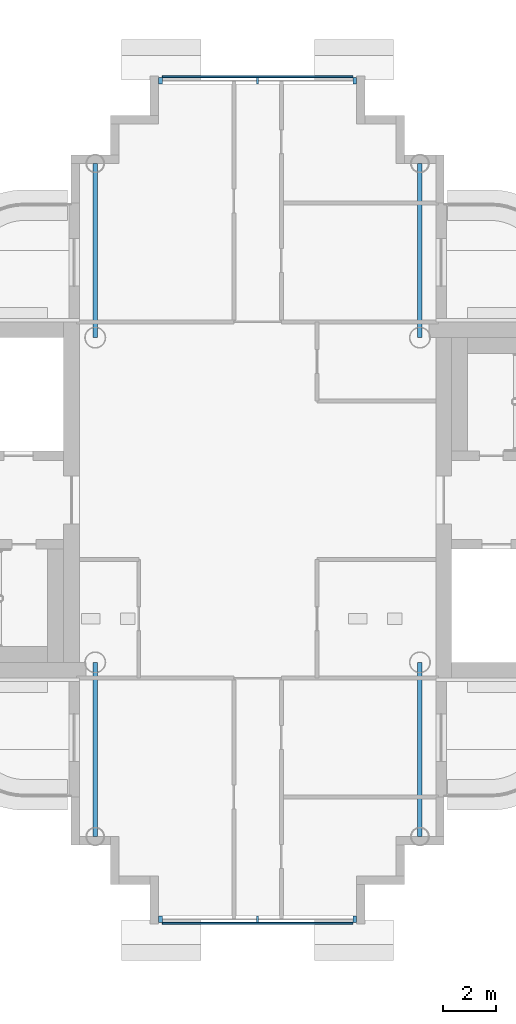
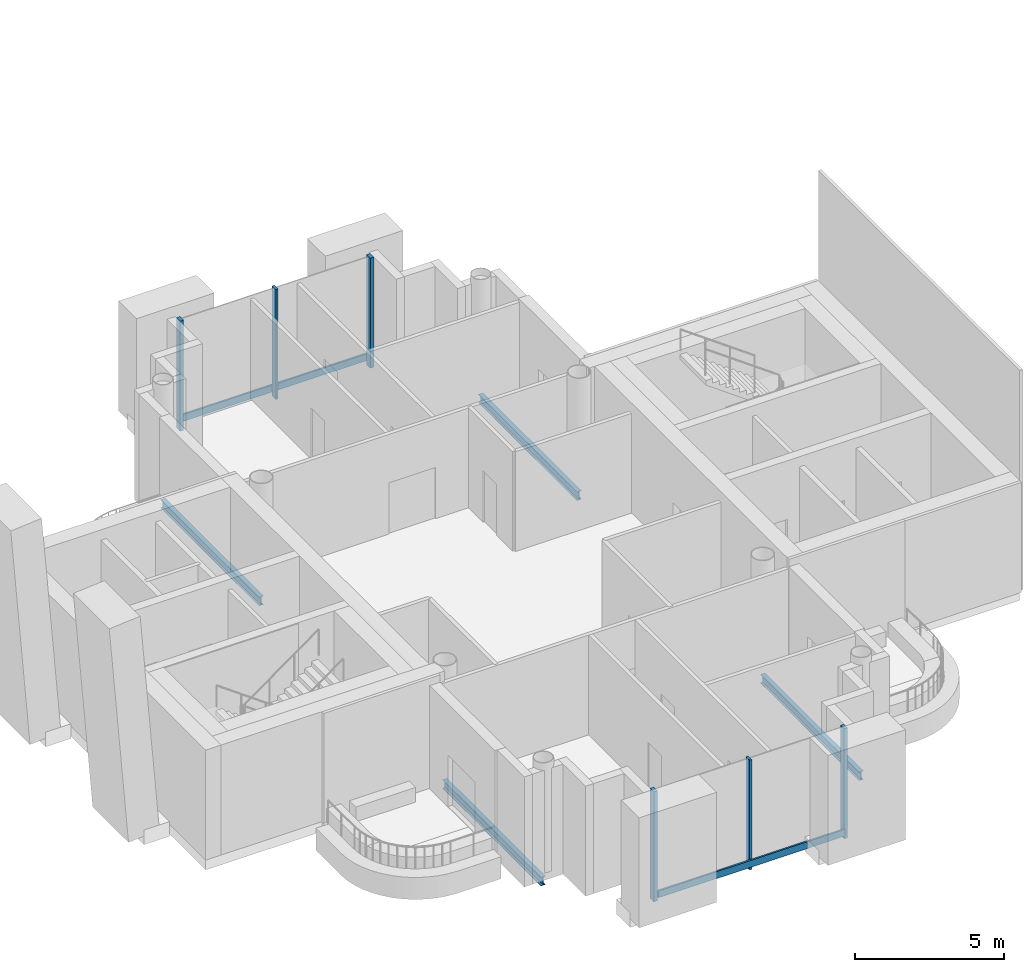
# One storey, part 3 of 20: 8 members, 4 beams, 2 elements without a shape of their own.
"""IFC4 building model written with IfcOpenShell, lengths in metres."""

from ifc_helpers import new_model, si_unit, direction, frame, origin, origin_2d, place, context, subcontext, project, spatial, rectangle, i_section, extrude, material, layer, layer_set, material_profile, profile_set, type_object, element, aggregate, save


model = new_model("IFC4")

# Units and contexts
model_context = context("Model", 3, precision=1e-05, world=origin(), true_north=direction((0.0, 1.0)))
body_context = subcontext(model_context, "Body", "Model", "MODEL_VIEW")
ifc_project = project(units=[si_unit("LENGTHUNIT", "METRE"), si_unit("AREAUNIT", "SQUARE_METRE"), si_unit("VOLUMEUNIT", "CUBIC_METRE"), si_unit("PLANEANGLEUNIT", "RADIAN"), si_unit("MASSUNIT", "GRAM", prefix="KILO")], contexts=[model_context])

# Site, building, storey
site_placement = place(None, origin())
site = spatial("IfcSite", under=ifc_project, at=site_placement, CompositionType="ELEMENT")
building_placement = place(site_placement, origin())
building = spatial("IfcBuilding", under=site, at=building_placement, Name="Ipe Terrace Towers", CompositionType="ELEMENT")
storey_placement = place(building_placement, frame((0.0, 0.0, 242.39990234375)))
storey = spatial("IfcBuildingStorey", under=building, at=storey_placement, Name="L67", CompositionType="ELEMENT", Elevation=242.39990234375)

# Beams
ifc_material_1 = material(Name="Steel S355", Category="steel")
ifc_material_profile_1 = material_profile(ifc_material_1, i_section(OverallWidth=0.175048828125, OverallDepth=0.35009765625, WebThickness=0.007080078125, FlangeThickness=0.010986328125, at=origin_2d()), Name="H-350x175x7x11")
ifc_profile_set_1 = profile_set([ifc_material_profile_1], Name="Steel S355")
beam_type = type_object("IfcBeamType", Name="H04 EDGE BEAM H-350x175x7x11", PredefinedType="BEAM", material=ifc_profile_set_1)
for number, where, z_axis, x_axis, name in (
    (1, (-29.85009765625, 12.75, -0.574951171875), (0.0, -1.0, 0.0), (1.0, 0.0, 0.0), "Edge beam T1-EB-B01-E03"),
    (2, (-42.14990234375, 12.75, -0.574951171875), (0.0, -1.0, 0.0), (1.0, 0.0, 0.0), "Edge beam T1-EB-B02-E04"),
    (3, (-42.14990234375, -12.75, -0.574951171875), (0.0, 1.0, 0.0), (-1.0, 0.0, 0.0), "Edge beam T1-EB-D01-E01"),
    (4, (-29.85009765625, -12.75, -0.574951171875), (0.0, 1.0, 0.0), (-1.0, 0.0, 0.0), "Edge beam T1-EB-D02-E02"),
):
    element("IfcBeam", number, at=place(storey_placement, frame(where, z_axis=z_axis, x_axis=x_axis)), inside=storey, type_object=beam_type, Name=name, PredefinedType="BEAM", context=body_context, shape_type="SweptSolid", body=[
        extrude(i_section(OverallWidth=0.175048828125, OverallDepth=0.35009765625, WebThickness=0.007080078125, FlangeThickness=0.010986328125, at=origin_2d()), origin(), (0.0, 0.0, 1.0), 6.60009765625),
    ])

# Curtain wall, members
ifc_material_2 = material(Name="Aluminium alloy 6063-T6", Category="aluminium")
ifc_layer = layer(ifc_material_2, 0.320068359375)
ifc_layer_set = layer_set([ifc_layer], Name="LANTERN CURTAIN WALL")
curtain_wall_type = type_object("IfcCurtainWallType", Name="LANTERN CURTAIN WALL", PredefinedType="NOTDEFINED", material=ifc_layer_set)
curtain_wall_1_placement = place(storey_placement, origin())
curtain_wall_1 = element("IfcCurtainWall", 5, at=curtain_wall_1_placement, inside=storey, type_object=curtain_wall_type, Name="T1-CW-L67-08a curtain wall", PredefinedType="NOTDEFINED")
ifc_material_3 = material(Name="Aluminium alloy 6063-T6", Category="aluminium")
ifc_material_profile_2 = material_profile(ifc_material_3, rectangle(XDim=0.25, YDim=0.139892578125, at=origin_2d()), Name="LANTERN CORNER MULLION 250 x 140")
ifc_profile_set_2 = profile_set([ifc_material_profile_2], Name="Aluminium alloy 6063-T6")
member_type_1 = type_object("IfcMemberType", Name="LANTERN CORNER MULLION 250 x 140", PredefinedType="MULLION", material=ifc_profile_set_2)
member_1_placement = place(storey_placement, frame((-39.679931640625, -15.875, -0.2998046875), z_axis=(0.0, 0.0, 1.0), x_axis=(0.0, -1.0, 0.0)))
member_1 = element("IfcMember", 6, at=member_1_placement, type_object=member_type_1, Name="T1-CW-L67-08a mullion 1", PredefinedType="MULLION", context=body_context, shape_type="SweptSolid", body=[
    extrude(rectangle(XDim=0.25, YDim=0.139892578125, at=origin_2d()), origin(), (0.0, 0.0, 1.0), 4.5),
])
member_2_placement = place(storey_placement, frame((-32.320068359375, -15.875, -0.2998046875), z_axis=(0.0, 0.0, 1.0), x_axis=(0.0, -1.0, 0.0)))
member_2 = element("IfcMember", 7, at=member_2_placement, type_object=member_type_1, Name="T1-CW-L67-08a mullion 3", PredefinedType="MULLION", context=body_context, shape_type="SweptSolid", body=[
    extrude(rectangle(XDim=0.25, YDim=0.139892578125, at=origin_2d()), origin(), (0.0, 0.0, 1.0), 4.5),
])

curtain_wall_2_placement = place(storey_placement, origin())
curtain_wall_2 = element("IfcCurtainWall", 8, at=curtain_wall_2_placement, inside=storey, type_object=curtain_wall_type, Name="T1-CW-L67-26a curtain wall", PredefinedType="NOTDEFINED")
member_3_placement = place(storey_placement, frame((-32.320068359375, 15.875, -0.2998046875), z_axis=(0.0, 0.0, 1.0), x_axis=(0.0, 1.0, 0.0)))
member_3 = element("IfcMember", 9, at=member_3_placement, type_object=member_type_1, Name="T1-CW-L67-26a mullion 1", PredefinedType="MULLION", context=body_context, shape_type="SweptSolid", body=[
    extrude(rectangle(XDim=0.25, YDim=0.139892578125, at=origin_2d()), origin(), (0.0, 0.0, 1.0), 4.5),
])
member_4_placement = place(storey_placement, frame((-39.679931640625, 15.875, -0.2998046875), z_axis=(0.0, 0.0, 1.0), x_axis=(0.0, 1.0, 0.0)))
member_4 = element("IfcMember", 10, at=member_4_placement, type_object=member_type_1, Name="T1-CW-L67-26a mullion 3", PredefinedType="MULLION", context=body_context, shape_type="SweptSolid", body=[
    extrude(rectangle(XDim=0.25, YDim=0.139892578125, at=origin_2d()), origin(), (0.0, 0.0, 1.0), 4.5),
])

# Member
ifc_material_4 = material(Name="Aluminium alloy 6063-T6", Category="aluminium")
ifc_material_profile_3 = material_profile(ifc_material_4, rectangle(XDim=0.25, YDim=0.080078125, at=origin_2d()), Name="LANTERN MULLION 250 x 80")
ifc_profile_set_3 = profile_set([ifc_material_profile_3], Name="Aluminium alloy 6063-T6")
member_type_2 = type_object("IfcMemberType", Name="LANTERN MULLION 250 x 80", PredefinedType="MULLION", material=ifc_profile_set_3)
member_5_placement = place(storey_placement, frame((-36.0, -15.875, -0.2998046875), z_axis=(0.0, 0.0, 1.0), x_axis=(0.0, -1.0, 0.0)))
member_5 = element("IfcMember", 11, at=member_5_placement, type_object=member_type_2, Name="T1-CW-L67-08a mullion 2", PredefinedType="MULLION", context=body_context, shape_type="SweptSolid", body=[
    extrude(rectangle(XDim=0.25, YDim=0.080078125, at=origin_2d()), origin(), (0.0, 0.0, 1.0), 4.5),
])

member_6_placement = place(storey_placement, frame((-36.0, 15.875, -0.2998046875), z_axis=(0.0, 0.0, 1.0), x_axis=(0.0, 1.0, 0.0)))
member_6 = element("IfcMember", 12, at=member_6_placement, type_object=member_type_2, Name="T1-CW-L67-26a mullion 2", PredefinedType="MULLION", context=body_context, shape_type="SweptSolid", body=[
    extrude(rectangle(XDim=0.25, YDim=0.080078125, at=origin_2d()), origin(), (0.0, 0.0, 1.0), 4.5),
])

ifc_material_5 = material(Name="Aluminium alloy 6063-T6", Category="aluminium")
ifc_material_profile_4 = material_profile(ifc_material_5, rectangle(XDim=0.070068359375, YDim=0.280029296875, at=origin_2d()), Name="LANTERN TRANSOM 70 x 280")
ifc_profile_set_4 = profile_set([ifc_material_profile_4], Name="Aluminium alloy 6063-T6")
member_type_3 = type_object("IfcMemberType", Name="LANTERN TRANSOM 70 x 280", PredefinedType="USERDEFINED", material=ifc_profile_set_4)
member_7_placement = place(storey_placement, frame((-39.610107421875, -16.034912109375, 0.0), z_axis=(1.0, 0.0, 0.0), x_axis=(0.0, -1.0, 0.0)))
member_7 = element("IfcMember", 13, at=member_7_placement, type_object=member_type_3, Name="T1-CW-L67-08a transom", ObjectType="TRANSOM", PredefinedType="USERDEFINED", context=body_context, shape_type="SweptSolid", body=[
    extrude(rectangle(XDim=0.070068359375, YDim=0.280029296875, at=origin_2d()), origin(), (0.0, 0.0, 1.0), 7.22021484375),
])

aggregate(curtain_wall_1, [member_1, member_5, member_2, member_7])

member_8_placement = place(storey_placement, frame((-32.389892578125, 16.034912109375, 0.0), z_axis=(-1.0, 0.0, 0.0), x_axis=(0.0, 1.0, 0.0)))
member_8 = element("IfcMember", 14, at=member_8_placement, type_object=member_type_3, Name="T1-CW-L67-26a transom", ObjectType="TRANSOM", PredefinedType="USERDEFINED", context=body_context, shape_type="SweptSolid", body=[
    extrude(rectangle(XDim=0.070068359375, YDim=0.280029296875, at=origin_2d()), origin(), (0.0, 0.0, 1.0), 7.22021484375),
])

aggregate(curtain_wall_2, [member_3, member_6, member_4, member_8])

save(model, "model.ifc")
